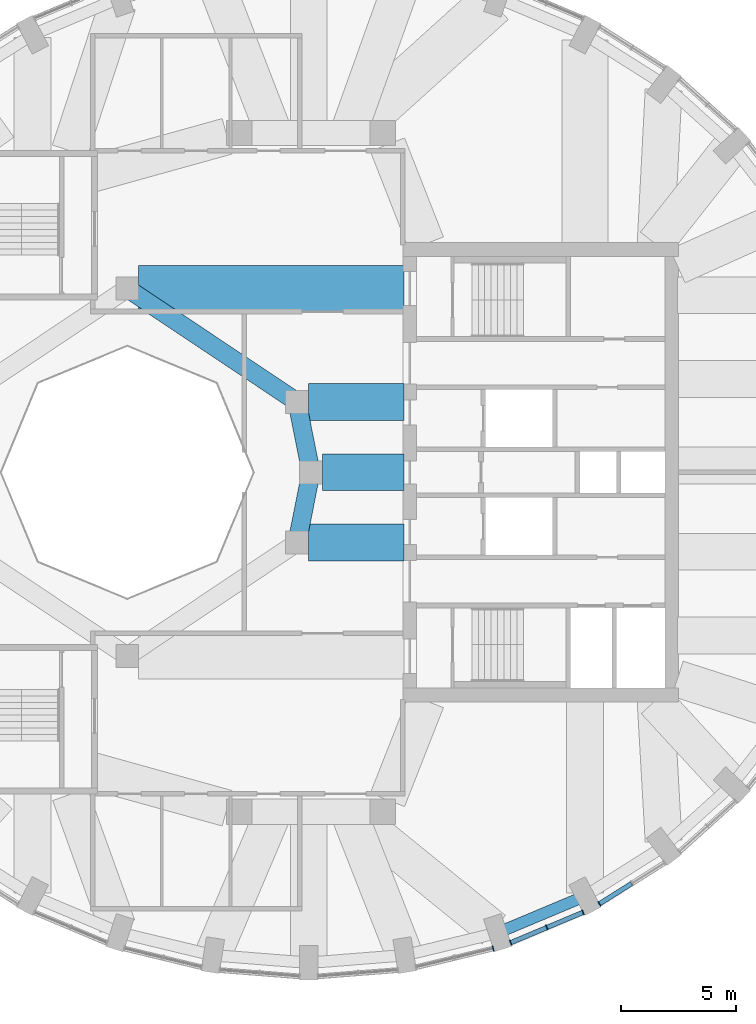
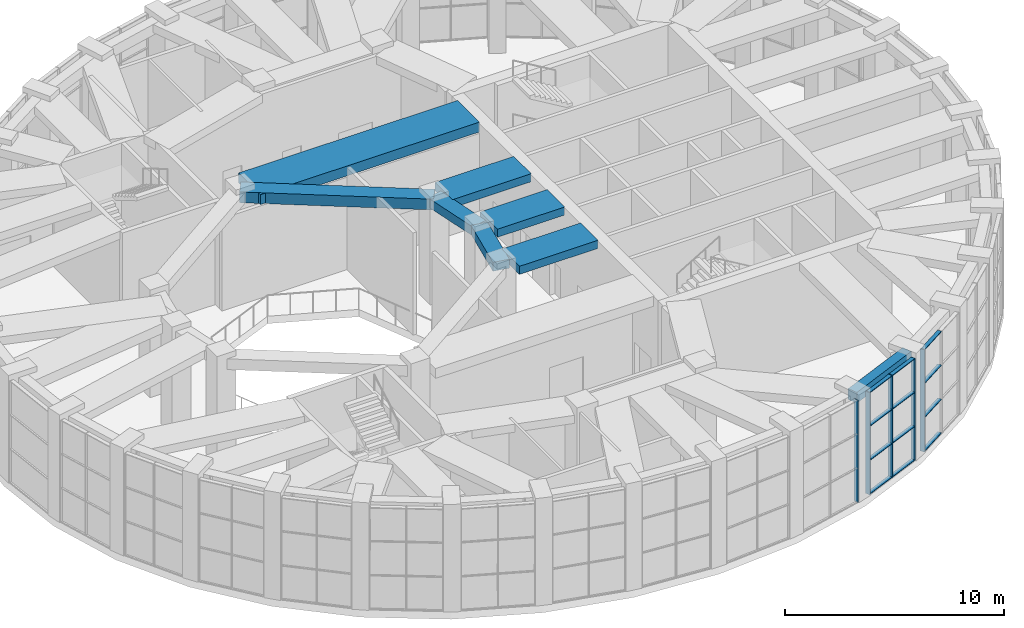
# One storey, part 6 of 20: 17 members, 8 beams, 3 elements without a shape of their own.
"""IFC4 building model written with IfcOpenShell, lengths in metres."""

from ifc_helpers import new_model, si_unit, direction, frame, origin, origin_2d, place, context, subcontext, project, spatial, rectangle, extrude, material, material_profile, profile_set, type_object, element, aggregate, save


model = new_model("IFC4")

# Units and contexts
model_context = context("Model", 3, precision=1e-05, world=origin(), true_north=direction((0.0, 1.0)))
body_context = subcontext(model_context, "Body", "Model", "MODEL_VIEW")
ifc_project = project(units=[si_unit("LENGTHUNIT", "METRE"), si_unit("AREAUNIT", "SQUARE_METRE"), si_unit("VOLUMEUNIT", "CUBIC_METRE"), si_unit("PLANEANGLEUNIT", "RADIAN"), si_unit("MASSUNIT", "GRAM", prefix="KILO")], contexts=[model_context])

# Site, building, storey
site_placement = place(None, origin())
site = spatial("IfcSite", under=ifc_project, at=site_placement, CompositionType="ELEMENT")
building_placement = place(site_placement, origin())
building = spatial("IfcBuilding", under=site, at=building_placement, Name="Taillehof Tower", CompositionType="ELEMENT")
storey_placement = place(building_placement, frame((0.0, 0.0, 269.199951171875)))
storey = spatial("IfcBuildingStorey", under=building, at=storey_placement, Name="L76", CompositionType="ELEMENT", Elevation=269.199951171875)

# Beams
ifc_material_1 = material(Name="Concrete C50/60", Category="concrete")
ifc_material_profile_1 = material_profile(ifc_material_1, rectangle(XDim=0.800048828125, YDim=0.5, at=origin_2d()), Name="RC 800x500")
ifc_profile_set_1 = profile_set([ifc_material_profile_1], Name="Concrete C50/60")
beam_type_1 = type_object("IfcBeamType", Name="Atrium ring beam C50/60 800x500", PredefinedType="BEAM", material=ifc_profile_set_1)
for number, where, z_axis, x_axis, name in (
    (1, (0.0, 0.0, 5.449951171875), (-0.195063155143, 0.980790683839, 0.0), (-0.980790683839, -0.195063155143, 0.0), "Atrium ring beam AB01"),
    (2, (-0.60888671875, -3.0615234375, 5.449951171875), (0.195063155143, 0.980790683839, 0.0), (-0.980790683839, 0.195063155143, 0.0), "Atrium ring beam AB08"),
):
    element("IfcBeam", number, at=place(storey_placement, frame(where, z_axis=z_axis, x_axis=x_axis)), inside=storey, type_object=beam_type_1, Name=name, PredefinedType="BEAM", context=body_context, shape_type="SweptSolid", body=[
        extrude(rectangle(XDim=0.800048828125, YDim=0.5, at=origin_2d()), origin(), (0.0, 0.0, 1.0), 3.12158203125),
    ])
ifc_material_2 = material(Name="Concrete C50/60", Category="concrete")
ifc_material_profile_2 = material_profile(ifc_material_2, rectangle(XDim=0.800048828125, YDim=0.60009765625, at=origin_2d()), Name="RC 800x600")
ifc_profile_set_2 = profile_set([ifc_material_profile_2], Name="Concrete C50/60")
beam_type_2 = type_object("IfcBeamType", Name="Atrium ring beam C50/60 800x600", PredefinedType="BEAM", material=ifc_profile_set_2)
beam_1_placement = place(storey_placement, frame((-0.60888671875, 3.0615234375, 5.400146484375), z_axis=(-0.831475195687, 0.555561876804, 0.0), x_axis=(-0.555561876804, -0.831475195687, 0.0)))
element("IfcBeam", 3, at=beam_1_placement, inside=storey, type_object=beam_type_2, Name="Atrium ring beam AB02", PredefinedType="BEAM", context=body_context, shape_type="SweptSolid", body=[
    extrude(rectangle(XDim=0.800048828125, YDim=0.60009765625, at=origin_2d()), origin(), (0.0, 0.0, 1.0), 8.88916015625),
])

# Curtain wall, member
ifc_material_3 = material(Name="Aluminium curtain wall with Clear toughened laminated glass", Category="aluminium")
curtain_wall_type = type_object("IfcCurtainWallType", Name="Observation deck curtain wall", PredefinedType="USERDEFINED", material=ifc_material_3)
curtain_wall_1_placement = place(storey_placement, origin())
curtain_wall_1 = element("IfcCurtainWall", 4, at=curtain_wall_1_placement, inside=storey, type_object=curtain_wall_type, Name="Observation deck L76 bay 29", ObjectType="WINDOW WALL", PredefinedType="USERDEFINED")
ifc_material_4 = material(Name="Aluminium mullion", Category="aluminium")
ifc_material_profile_3 = material_profile(ifc_material_4, rectangle(XDim=0.239990234375, YDim=0.0400390625, at=origin_2d()), Name="AL 40x240")
ifc_profile_set_3 = profile_set([ifc_material_profile_3], Name="Aluminium mullion")
member_type_1 = type_object("IfcMemberType", Name="Observation deck mullion 40x240", PredefinedType="MULLION", material=ifc_profile_set_3)
member_1_placement = place(storey_placement, frame((7.928955078125, -20.72705078125, 0.0), z_axis=(0.0, 0.0, 1.0), x_axis=(-0.234514520129, 0.972112616855, 0.0)))
member_1 = element("IfcMember", 5, at=member_1_placement, type_object=member_type_1, Name="CT6E29 mullion 3", PredefinedType="MULLION", context=body_context, shape_type="SweptSolid", body=[
    extrude(rectangle(XDim=0.239990234375, YDim=0.0400390625, at=origin_2d()), origin(), (0.0, 0.0, 1.0), 5.699951171875),
])
aggregate(curtain_wall_1, [member_1])

# Curtain wall, members
curtain_wall_2_placement = place(storey_placement, origin())
curtain_wall_2 = element("IfcCurtainWall", 6, at=curtain_wall_2_placement, inside=storey, type_object=curtain_wall_type, Name="Observation deck L76 bay 30", ObjectType="WINDOW WALL", PredefinedType="USERDEFINED")
member_2_placement = place(storey_placement, frame((8.68896484375, -20.4775390625, 0.0), z_axis=(0.0, 0.0, 1.0), x_axis=(-0.387100713636, 0.922037438233, 0.0)))
member_2 = element("IfcMember", 7, at=member_2_placement, type_object=member_type_1, Name="CT6E30 mullion 1", PredefinedType="MULLION", context=body_context, shape_type="SweptSolid", body=[
    extrude(rectangle(XDim=0.239990234375, YDim=0.0400390625, at=origin_2d()), origin(), (0.0, 0.0, 1.0), 5.699951171875),
])
member_3_placement = place(storey_placement, frame((10.26513671875, -19.81591796875, 0.0), z_axis=(0.0, 0.0, 1.0), x_axis=(-0.387100713636, 0.922037438233, 0.0)))
member_3 = element("IfcMember", 8, at=member_3_placement, type_object=member_type_1, Name="CT6E30 mullion 2", PredefinedType="MULLION", context=body_context, shape_type="SweptSolid", body=[
    extrude(rectangle(XDim=0.239990234375, YDim=0.0400390625, at=origin_2d()), origin(), (0.0, 0.0, 1.0), 5.699951171875),
])
member_4_placement = place(storey_placement, frame((11.84130859375, -19.154052734375, 0.0), z_axis=(0.0, 0.0, 1.0), x_axis=(-0.387100713636, 0.922037438233, 0.0)))
member_4 = element("IfcMember", 9, at=member_4_placement, type_object=member_type_1, Name="CT6E30 mullion 3", PredefinedType="MULLION", context=body_context, shape_type="SweptSolid", body=[
    extrude(rectangle(XDim=0.239990234375, YDim=0.0400390625, at=origin_2d()), origin(), (0.0, 0.0, 1.0), 5.699951171875),
])

# Curtain wall, member
curtain_wall_3_placement = place(storey_placement, origin())
curtain_wall_3 = element("IfcCurtainWall", 10, at=curtain_wall_3_placement, inside=storey, type_object=curtain_wall_type, Name="Observation deck L76 bay 31", ObjectType="WINDOW WALL", PredefinedType="USERDEFINED")
member_5_placement = place(storey_placement, frame((12.551025390625, -18.78466796875, 0.0), z_axis=(0.0, 0.0, 1.0), x_axis=(-0.533294430468, 0.845929695916, 0.0)))
member_5 = element("IfcMember", 11, at=member_5_placement, type_object=member_type_1, Name="CT6E31 mullion 1", PredefinedType="MULLION", context=body_context, shape_type="SweptSolid", body=[
    extrude(rectangle(XDim=0.239990234375, YDim=0.0400390625, at=origin_2d()), origin(), (0.0, 0.0, 1.0), 5.699951171875),
])

# Member
ifc_material_5 = material(Name="Aluminium transom", Category="aluminium")
ifc_material_profile_4 = material_profile(ifc_material_5, rectangle(XDim=0.199951171875, YDim=0.0400390625, at=origin_2d()), Name="AL 200x40")
ifc_profile_set_4 = profile_set([ifc_material_profile_4], Name="Aluminium transom")
member_type_2 = type_object("IfcMemberType", Name="Observation deck transom 200x40", PredefinedType="USERDEFINED", material=ifc_profile_set_4)
member_6_placement = place(storey_placement, frame((8.70751953125, -20.469970703125, 0.02001953125), z_axis=(0.922039527132, 0.387095738036, 0.0), x_axis=(-0.387095738036, 0.922039527132, 0.0)))
member_6 = element("IfcMember", 12, at=member_6_placement, type_object=member_type_2, Name="CT6E30 transom 1.1", ObjectType="TRANSOM", PredefinedType="USERDEFINED", context=body_context, shape_type="SweptSolid", body=[
    extrude(rectangle(XDim=0.199951171875, YDim=0.0400390625, at=origin_2d()), origin(), (0.0, 0.0, 1.0), 1.66943359375),
])

member_7_placement = place(storey_placement, frame((8.70751953125, -20.469970703125, 1.900146484375), z_axis=(0.922039527132, 0.387095738036, 0.0), x_axis=(-0.387095738036, 0.922039527132, 0.0)))
member_7 = element("IfcMember", 13, at=member_7_placement, type_object=member_type_2, Name="CT6E30 transom 1.2", ObjectType="TRANSOM", PredefinedType="USERDEFINED", context=body_context, shape_type="SweptSolid", body=[
    extrude(rectangle(XDim=0.199951171875, YDim=0.0400390625, at=origin_2d()), origin(), (0.0, 0.0, 1.0), 1.66943359375),
])

member_8_placement = place(storey_placement, frame((8.70751953125, -20.469970703125, 3.800048828125), z_axis=(0.922039527132, 0.387095738036, 0.0), x_axis=(-0.387095738036, 0.922039527132, 0.0)))
member_8 = element("IfcMember", 14, at=member_8_placement, type_object=member_type_2, Name="CT6E30 transom 1.3", ObjectType="TRANSOM", PredefinedType="USERDEFINED", context=body_context, shape_type="SweptSolid", body=[
    extrude(rectangle(XDim=0.199951171875, YDim=0.0400390625, at=origin_2d()), origin(), (0.0, 0.0, 1.0), 1.66943359375),
])

member_9_placement = place(storey_placement, frame((8.70751953125, -20.469970703125, 5.679931640625), z_axis=(0.922039527132, 0.387095738036, 0.0), x_axis=(-0.387095738036, 0.922039527132, 0.0)))
member_9 = element("IfcMember", 15, at=member_9_placement, type_object=member_type_2, Name="CT6E30 transom 1.4", ObjectType="TRANSOM", PredefinedType="USERDEFINED", context=body_context, shape_type="SweptSolid", body=[
    extrude(rectangle(XDim=0.199951171875, YDim=0.0400390625, at=origin_2d()), origin(), (0.0, 0.0, 1.0), 1.66943359375),
])

member_10_placement = place(storey_placement, frame((10.28369140625, -19.80810546875, 0.02001953125), z_axis=(0.922039527132, 0.387095738036, 0.0), x_axis=(-0.387095738036, 0.922039527132, 0.0)))
member_10 = element("IfcMember", 16, at=member_10_placement, type_object=member_type_2, Name="CT6E30 transom 2.1", ObjectType="TRANSOM", PredefinedType="USERDEFINED", context=body_context, shape_type="SweptSolid", body=[
    extrude(rectangle(XDim=0.199951171875, YDim=0.0400390625, at=origin_2d()), origin(), (0.0, 0.0, 1.0), 1.66943359375),
])

member_11_placement = place(storey_placement, frame((10.28369140625, -19.80810546875, 1.900146484375), z_axis=(0.922039527132, 0.387095738036, 0.0), x_axis=(-0.387095738036, 0.922039527132, 0.0)))
member_11 = element("IfcMember", 17, at=member_11_placement, type_object=member_type_2, Name="CT6E30 transom 2.2", ObjectType="TRANSOM", PredefinedType="USERDEFINED", context=body_context, shape_type="SweptSolid", body=[
    extrude(rectangle(XDim=0.199951171875, YDim=0.0400390625, at=origin_2d()), origin(), (0.0, 0.0, 1.0), 1.66943359375),
])

member_12_placement = place(storey_placement, frame((10.28369140625, -19.80810546875, 3.800048828125), z_axis=(0.922039527132, 0.387095738036, 0.0), x_axis=(-0.387095738036, 0.922039527132, 0.0)))
member_12 = element("IfcMember", 18, at=member_12_placement, type_object=member_type_2, Name="CT6E30 transom 2.3", ObjectType="TRANSOM", PredefinedType="USERDEFINED", context=body_context, shape_type="SweptSolid", body=[
    extrude(rectangle(XDim=0.199951171875, YDim=0.0400390625, at=origin_2d()), origin(), (0.0, 0.0, 1.0), 1.66943359375),
])

member_13_placement = place(storey_placement, frame((10.28369140625, -19.80810546875, 5.679931640625), z_axis=(0.922039527132, 0.387095738036, 0.0), x_axis=(-0.387095738036, 0.922039527132, 0.0)))
member_13 = element("IfcMember", 19, at=member_13_placement, type_object=member_type_2, Name="CT6E30 transom 2.4", ObjectType="TRANSOM", PredefinedType="USERDEFINED", context=body_context, shape_type="SweptSolid", body=[
    extrude(rectangle(XDim=0.199951171875, YDim=0.0400390625, at=origin_2d()), origin(), (0.0, 0.0, 1.0), 1.66943359375),
])

aggregate(curtain_wall_2, [member_2, member_3, member_4, member_6, member_7, member_8, member_9, member_10, member_11, member_12, member_13])

member_14_placement = place(storey_placement, frame((12.56787109375, -18.774169921875, 0.02001953125), z_axis=(0.845909544428, 0.533326394102, 0.0), x_axis=(-0.533326394102, 0.845909544428, 0.0)))
member_14 = element("IfcMember", 20, at=member_14_placement, type_object=member_type_2, Name="CT6E31 transom 1.1", ObjectType="TRANSOM", PredefinedType="USERDEFINED", context=body_context, shape_type="SweptSolid", body=[
    extrude(rectangle(XDim=0.199951171875, YDim=0.0400390625, at=origin_2d()), origin(), (0.0, 0.0, 1.0), 1.64013671875),
])

member_15_placement = place(storey_placement, frame((12.56787109375, -18.774169921875, 1.900146484375), z_axis=(0.845909544428, 0.533326394102, 0.0), x_axis=(-0.533326394102, 0.845909544428, 0.0)))
member_15 = element("IfcMember", 21, at=member_15_placement, type_object=member_type_2, Name="CT6E31 transom 1.2", ObjectType="TRANSOM", PredefinedType="USERDEFINED", context=body_context, shape_type="SweptSolid", body=[
    extrude(rectangle(XDim=0.199951171875, YDim=0.0400390625, at=origin_2d()), origin(), (0.0, 0.0, 1.0), 1.64013671875),
])

member_16_placement = place(storey_placement, frame((12.56787109375, -18.774169921875, 3.800048828125), z_axis=(0.845909544428, 0.533326394102, 0.0), x_axis=(-0.533326394102, 0.845909544428, 0.0)))
member_16 = element("IfcMember", 22, at=member_16_placement, type_object=member_type_2, Name="CT6E31 transom 1.3", ObjectType="TRANSOM", PredefinedType="USERDEFINED", context=body_context, shape_type="SweptSolid", body=[
    extrude(rectangle(XDim=0.199951171875, YDim=0.0400390625, at=origin_2d()), origin(), (0.0, 0.0, 1.0), 1.64013671875),
])

member_17_placement = place(storey_placement, frame((12.56787109375, -18.774169921875, 5.679931640625), z_axis=(0.845909544428, 0.533326394102, 0.0), x_axis=(-0.533326394102, 0.845909544428, 0.0)))
member_17 = element("IfcMember", 23, at=member_17_placement, type_object=member_type_2, Name="CT6E31 transom 1.4", ObjectType="TRANSOM", PredefinedType="USERDEFINED", context=body_context, shape_type="SweptSolid", body=[
    extrude(rectangle(XDim=0.199951171875, YDim=0.0400390625, at=origin_2d()), origin(), (0.0, 0.0, 1.0), 1.64013671875),
])

aggregate(curtain_wall_3, [member_5, member_14, member_15, member_16, member_17])

# Beams
ifc_material_6 = material(Name="Concrete C50/60", Category="concrete")
ifc_material_profile_5 = material_profile(ifc_material_6, rectangle(XDim=1.60009765625, YDim=0.449951171875, at=origin_2d()), Name="RC 1600x450")
ifc_profile_set_5 = profile_set([ifc_material_profile_5], Name="Concrete C50/60")
beam_type_3 = type_object("IfcBeamType", Name="Radial band beam C50/60 1600x450", PredefinedType="BEAM", material=ifc_profile_set_5)
beam_2_placement = place(storey_placement, frame((0.5, 0.0, 5.47509765625), z_axis=(1.0, 0.0, 0.0), x_axis=(0.0, 1.0, 0.0)))
element("IfcBeam", 24, at=beam_2_placement, inside=storey, type_object=beam_type_3, Name="Inner band beam IB101", PredefinedType="BEAM", context=body_context, shape_type="SweptSolid", body=[
    extrude(rectangle(XDim=1.60009765625, YDim=0.449951171875, at=origin_2d()), origin(), (0.0, 0.0, 1.0), 3.550048828125),
])
for number, where, z_axis, x_axis, name in (
    (25, (-0.10888671875, 3.0615234375, 5.47509765625), (1.0, 0.0, 0.0), (0.0, 1.0, 0.0), "Inner band beam IB102"),
    (26, (-0.10888671875, -3.0615234375, 5.47509765625), (1.0, 0.0, 0.0), (0.0, 1.0, 0.0), "Inner band beam IB116"),
):
    element("IfcBeam", number, at=place(storey_placement, frame(where, z_axis=z_axis, x_axis=x_axis)), inside=storey, type_object=beam_type_3, Name=name, PredefinedType="BEAM", context=body_context, shape_type="SweptSolid", body=[
        extrude(rectangle(XDim=1.60009765625, YDim=0.449951171875, at=origin_2d()), origin(), (0.0, 0.0, 1.0), 4.158935546875),
    ])
ifc_material_7 = material(Name="Concrete C50/60", Category="concrete")
ifc_material_profile_6 = material_profile(ifc_material_7, rectangle(XDim=2.0, YDim=0.550048828125, at=origin_2d()), Name="RC 2000x550")
ifc_profile_set_6 = profile_set([ifc_material_profile_6], Name="Concrete C50/60")
beam_type_4 = type_object("IfcBeamType", Name="Radial band beam C50/60 2000x550", PredefinedType="BEAM", material=ifc_profile_set_6)
beam_3_placement = place(storey_placement, frame((-7.5, 8.0, 5.425048828125), z_axis=(1.0, 0.0, 0.0), x_axis=(0.0, 1.0, 0.0)))
element("IfcBeam", 27, at=beam_3_placement, inside=storey, type_object=beam_type_4, Name="Inner band beam IB105", PredefinedType="BEAM", context=body_context, shape_type="SweptSolid", body=[
    extrude(rectangle(XDim=2.0, YDim=0.550048828125, at=origin_2d()), origin(), (0.0, 0.0, 1.0), 11.550048828125),
])
ifc_material_8 = material(Name="Concrete C50/60", Category="concrete")
ifc_material_profile_7 = material_profile(ifc_material_8, rectangle(XDim=0.5, YDim=0.60009765625, at=origin_2d()), Name="RC 500x600")
ifc_profile_set_7 = profile_set([ifc_material_profile_7], Name="Concrete C50/60")
beam_type_5 = type_object("IfcBeamType", Name="Spandrel beam C50/60 500x600", PredefinedType="SPANDREL", material=ifc_profile_set_7)
beam_4_placement = place(storey_placement, frame((8.12548828125, -20.04443359375, 5.400146484375), z_axis=(0.922055276152, 0.38705822265, 0.0), x_axis=(-0.38705822265, 0.922055276152, 0.0)))
element("IfcBeam", 28, at=beam_4_placement, inside=storey, type_object=beam_type_5, Name="Spandrel beam SB30", PredefinedType="SPANDREL", context=body_context, shape_type="SweptSolid", body=[
    extrude(rectangle(XDim=0.5, YDim=0.60009765625, at=origin_2d()), origin(), (0.0, 0.0, 1.0), 4.120849609375),
])

save(model, "model.ifc")
